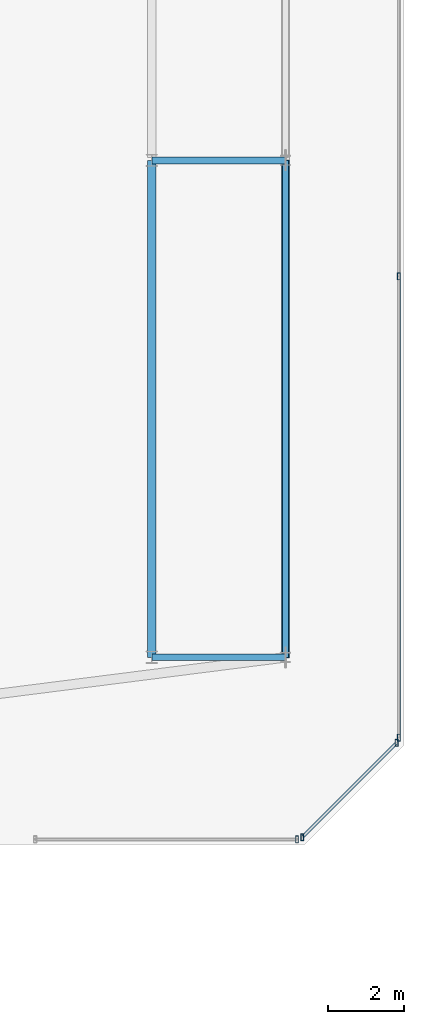
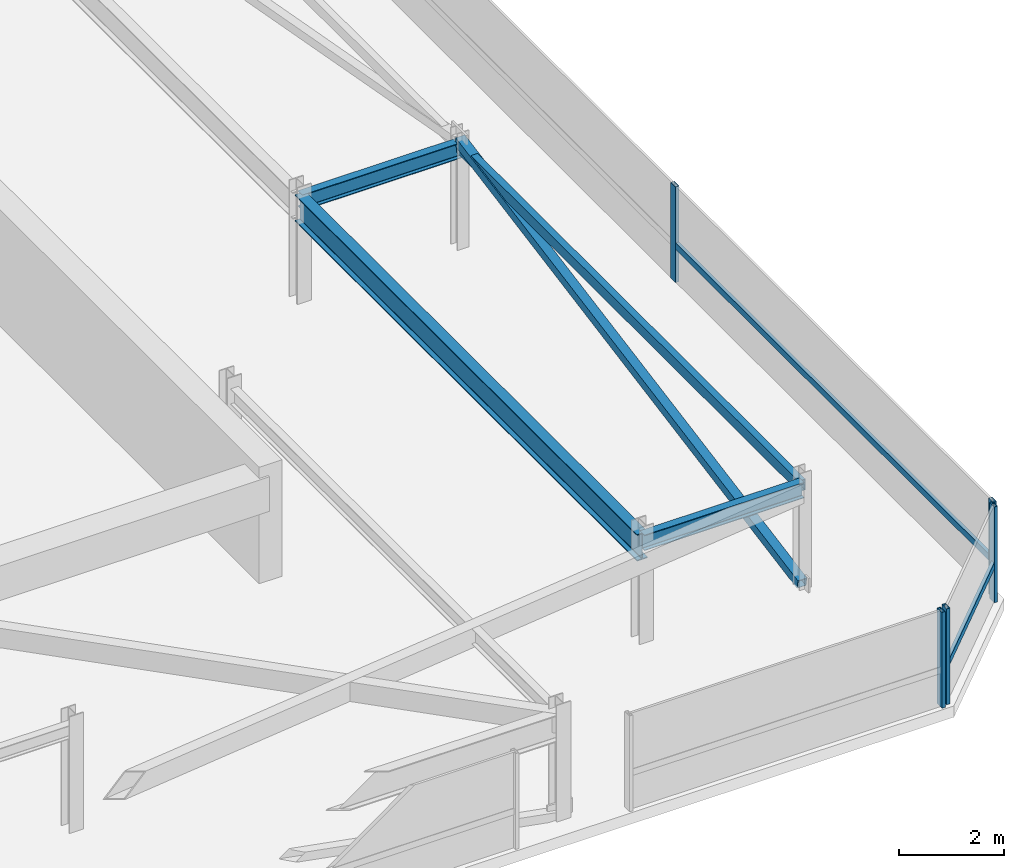
# One storey, part 33 of 44: 8 members, 4 beams, 3 elements without a shape of their own.
"""IFC4 building model written with IfcOpenShell, lengths in metres."""

import ifcopenshell
import ifcopenshell.guid

model = None  # the IFC model being written
_history = None  # IfcOwnerHistory: only IFC2X3 demands one
_inside = {}  # id of a spatial element -> (the spatial element, [elements in it])
_under = {}  # id of a project, library or spatial element -> (it, [spatial elements below it])
_declared = {}  # id of a project -> (the project, [libraries it declares])
_typed = {}  # id of a type object -> (the type object, [elements of that type])
_made_of = {}  # id of a material, layer set ... -> (it, [elements and type objects made of it])


def new_model(schema):
    """Start an empty IFC model of exactly this schema.

    Asked for "IFC4X3", IfcOpenShell would pick the latest addendum, in which some entities
    have other attributes; the version numbers below select the first issue.
    IFC2X3 requires an IfcOwnerHistory on every rooted entity: one is made here for all.
    """
    global model, _history
    if schema == "IFC4X3":
        model = ifcopenshell.file(schema_version=(4, 3, 0, 0))
    else:
        model = ifcopenshell.file(schema=schema)
    _inside.clear()
    _under.clear()
    _declared.clear()
    _typed.clear()
    _made_of.clear()
    _history = None
    if model.schema == "IFC2X3":
        org = make("IfcOrganization", Name="unknown")
        user = make(
            "IfcPersonAndOrganization",
            ThePerson=make("IfcPerson", FamilyName="unknown"),
            TheOrganization=org,
        )
        app = make(
            "IfcApplication",
            ApplicationDeveloper=org,
            Version="unknown",
            ApplicationFullName="unknown",
            ApplicationIdentifier="unknown",
        )
        _history = make(
            "IfcOwnerHistory",
            OwningUser=user,
            OwningApplication=app,
            ChangeAction="ADDED",
            CreationDate=0,
        )
    return model


def make(cls, **values):
    """One entity of the class cls with the attributes given. An attribute that is None is left unset."""
    return model.create_entity(
        cls, **{name: value for name, value in values.items() if value is not None}
    )


def rooted(cls, **values):
    """An entity with a GlobalId (a new one), such as an element, a storey or a relation."""
    return make(cls, GlobalId=ifcopenshell.guid.new(), OwnerHistory=_history, **values)


def si_unit(unit_type, name, prefix=None):
    """IfcSIUnit, for example si_unit("LENGTHUNIT", "METRE", prefix="MILLI")."""
    return make("IfcSIUnit", UnitType=unit_type, Prefix=prefix, Name=name)


def assignment(units):
    """IfcUnitAssignment: the units of a project."""
    return None if units is None else make("IfcUnitAssignment", Units=units)


def point(xyz):
    """IfcCartesianPoint."""
    return None if xyz is None else make("IfcCartesianPoint", Coordinates=xyz)


def direction(xyz):
    """IfcDirection."""
    return None if xyz is None else make("IfcDirection", DirectionRatios=xyz)


def frame(location, z_axis=None, x_axis=None):
    """IfcAxis2Placement3D, a coordinate frame: its origin and axes. An axis left out is left unset."""
    return make(
        "IfcAxis2Placement3D",
        Location=point(location),
        Axis=direction(z_axis),
        RefDirection=direction(x_axis),
    )


def frame_2d(location, x_axis=None):
    """IfcAxis2Placement2D, a coordinate frame in the plane: its origin and x axis."""
    return make(
        "IfcAxis2Placement2D", Location=point(location), RefDirection=direction(x_axis)
    )


def origin():
    """The frame at (0, 0, 0) with its axes left unset."""
    return frame((0.0, 0.0, 0.0))


def origin_2d():
    """The frame at (0, 0) in the plane with its x axis left unset."""
    return frame_2d((0.0, 0.0))


def place(relative_to, where):
    """IfcLocalPlacement: puts the frame where relative to a parent placement (None: the world)."""
    return make(
        "IfcLocalPlacement", PlacementRelTo=relative_to, RelativePlacement=where
    )


def context(
    kind, dimensions, precision=None, world=None, true_north=None, identifier=None
):
    """IfcGeometricRepresentationContext, for example the 3D "Model" context."""
    return make(
        "IfcGeometricRepresentationContext",
        ContextIdentifier=identifier,
        ContextType=kind,
        CoordinateSpaceDimension=dimensions,
        Precision=precision,
        WorldCoordinateSystem=world,
        TrueNorth=true_north,
    )


def subcontext(parent, identifier, kind, view, scale=None):
    """IfcGeometricRepresentationSubContext, for example "Body" below "Model"."""
    return make(
        "IfcGeometricRepresentationSubContext",
        ContextIdentifier=identifier,
        ContextType=kind,
        ParentContext=parent,
        TargetScale=scale,
        TargetView=view,
    )


def project(units=None, contexts=None):
    """IfcProject with its units and contexts."""
    return rooted(
        "IfcProject",
        Name="project",
        RepresentationContexts=contexts,
        UnitsInContext=assignment(units),
    )


def spatial(cls, under=None, at=None, **own):
    """A site, building, storey or space (cls), placed at a placement, below another one or the project."""
    s = rooted(cls, ObjectPlacement=at, **own)
    if under is not None:
        _under.setdefault(under.id(), (under, []))[1].append(s)
    return s


def profile(cls, at=None, kind="AREA", **sizes):
    """A parametric profile (cls). Its sizes go by their IFC names, for example OverallWidth=200.0."""
    return make(cls, ProfileType=kind, Position=at, **sizes)


def hollow_rectangle(**sizes):
    """IfcRectangleHollowProfileDef."""
    return profile("IfcRectangleHollowProfileDef", **sizes)


def i_section(**sizes):
    """IfcIShapeProfileDef."""
    return profile("IfcIShapeProfileDef", **sizes)


def extrude(swept, where, along, depth):
    """IfcExtrudedAreaSolid: the profile swept, set in the frame where, extruded along a direction by depth."""
    return make(
        "IfcExtrudedAreaSolid",
        SweptArea=swept,
        Position=where,
        ExtrudedDirection=direction(along),
        Depth=depth,
    )


def shape(context_of_items, identifier, shape_type, items):
    """IfcShapeRepresentation: the items that make up one representation, for example the "Body"."""
    return make(
        "IfcShapeRepresentation",
        ContextOfItems=context_of_items,
        RepresentationIdentifier=identifier,
        RepresentationType=shape_type,
        Items=items,
    )


def material(Name=None, Category=None):
    """IfcMaterial."""
    return make("IfcMaterial", Name=Name, Category=Category)


def material_profile(
    of_material, cross_section, Name=None, Category=None, Priority=None
):
    """IfcMaterialProfile: a cross section and its material."""
    return make(
        "IfcMaterialProfile",
        Name=Name,
        Material=of_material,
        Profile=cross_section,
        Priority=Priority,
        Category=Category,
    )


def profile_set(profiles, Name=None, composite=None):
    """IfcMaterialProfileSet."""
    return make(
        "IfcMaterialProfileSet",
        Name=Name,
        MaterialProfiles=profiles,
        CompositeProfile=composite,
    )


def made_of(thing, what):
    """Note that an element or type object is made of a material, layer set ...; save() writes the relation."""
    if what is not None:
        _made_of.setdefault(what.id(), (what, []))[1].append(thing)
    return thing


def type_object(cls, material=None, **own):
    """A type object (cls), such as IfcWallType, which elements share."""
    return made_of(rooted(cls, **own), material)


def element(
    cls,
    number,
    at=None,
    inside=None,
    cuts=None,
    type_object=None,
    material=None,
    context=None,
    identifier="Body",
    shape_type=None,
    held_by="IfcProductDefinitionShape",
    body=None,
    shapes=None,
    **own,
):
    """One element of the class cls, such as IfcWall. Its Tag is "e" and its number.

    at: its placement. inside: the storey or other place that contains it. cuts: it is an
    opening in that element (IfcRelVoidsElement). A single representation is given by context,
    identifier, shape_type and body (its items); several are given by shapes. held_by: the class
    of the entity that holds the representations. save() writes the other relations.
    """
    e = rooted(cls, Tag="e%d" % number, ObjectPlacement=at, **own)
    if body is not None:
        shapes = [shape(context, identifier, shape_type, body)]
    if shapes is not None:
        e.Representation = make(held_by, Representations=shapes)
    if inside is not None:
        _inside.setdefault(inside.id(), (inside, []))[1].append(e)
    if cuts is not None:
        rooted(
            "IfcRelVoidsElement", RelatingBuildingElement=cuts, RelatedOpeningElement=e
        )
    if type_object is not None:
        _typed.setdefault(type_object.id(), (type_object, []))[1].append(e)
    return made_of(e, material)


def aggregate(whole, parts):
    """IfcRelAggregates: a whole, such as a stair, and the parts it consists of."""
    return rooted("IfcRelAggregates", RelatingObject=whole, RelatedObjects=parts)


def save(model, path):
    """Write the relations noted so far, then the file.

    IfcRelAggregates (storeys below a building ...), IfcRelContainedInSpatialStructure (elements
    in a storey), IfcRelDefinesByType, IfcRelAssociatesMaterial and IfcRelDeclares: one each for
    every whole, place, type object, material and project.
    """
    for whole, parts in _under.values():
        aggregate(whole, parts)
    for where, things in _inside.values():
        rooted(
            "IfcRelContainedInSpatialStructure",
            RelatedElements=things,
            RelatingStructure=where,
        )
    for kind, things in _typed.values():
        rooted("IfcRelDefinesByType", RelatedObjects=things, RelatingType=kind)
    for what, things in _made_of.values():
        rooted("IfcRelAssociatesMaterial", RelatedObjects=things, RelatingMaterial=what)
    for by, libraries in _declared.values():
        rooted("IfcRelDeclares", RelatingContext=by, RelatedDefinitions=libraries)
    model.write(path)


model = new_model("IFC4")

# Units and contexts
model_context = context("Model", 3, precision=1e-05, world=origin(), true_north=direction((0.0, 1.0)))
body_context = subcontext(model_context, "Body", "Model", "MODEL_VIEW")
ifc_project = project(units=[si_unit("LENGTHUNIT", "METRE"), si_unit("AREAUNIT", "SQUARE_METRE"), si_unit("VOLUMEUNIT", "CUBIC_METRE"), si_unit("PLANEANGLEUNIT", "RADIAN"), si_unit("MASSUNIT", "GRAM", prefix="KILO")], contexts=[model_context])

# Site, building, storey
site_placement = place(None, origin())
site = spatial("IfcSite", under=ifc_project, at=site_placement, CompositionType="ELEMENT")
building_placement = place(site_placement, origin())
building = spatial("IfcBuilding", under=site, at=building_placement, Name="Thornwick Lancets Civic Towers", CompositionType="ELEMENT")
storey_placement = place(building_placement, frame((0.0, 0.0, 292.199951171875)))
storey = spatial("IfcBuildingStorey", under=building, at=storey_placement, Name="C05", CompositionType="ELEMENT", Elevation=292.199951171875)

# Beams
ifc_material_1 = material(Name="Steel S355JR", Category="steel")
ifc_material_profile_1 = material_profile(ifc_material_1, hollow_rectangle(XDim=0.14990234375, YDim=0.25, WallThickness=0.012451171875, at=origin_2d()), Name="RHS 250x150x12.5")
ifc_profile_set_1 = profile_set([ifc_material_profile_1], Name="Steel S355JR")
beam_type_1 = type_object("IfcBeamType", Name="BM_CROWN_RHS250", PredefinedType="BEAM", material=ifc_profile_set_1)
beam_1_placement = place(storey_placement, frame((109.300048828125, 14.0, 2.31494140625), z_axis=(0.0, 1.0, 0.0), x_axis=(-1.0, 0.0, 0.0)))
element("IfcBeam", 1, at=beam_1_placement, inside=storey, type_object=beam_type_1, Name="BM-EDGE-C05-B-S0-1", PredefinedType="BEAM", context=body_context, shape_type="SweptSolid", body=[
    extrude(hollow_rectangle(XDim=0.14990234375, YDim=0.25, WallThickness=0.012451171875, at=origin_2d()), origin(), (0.0, 0.0, 1.0), 13.0),
])
ifc_material_profile_2 = material_profile(ifc_material_1, i_section(OverallWidth=0.230224609375, OverallDepth=0.6171875, WebThickness=0.01318359375, FlangeThickness=0.022216796875, FilletRadius=0.0126953125, at=origin_2d()), Name="UKB 610x229x140")
ifc_profile_set_2 = profile_set([ifc_material_profile_2], Name="Steel S355JR")
beam_type_2 = type_object("IfcBeamType", Name="BM_GIRD_610_140", PredefinedType="BEAM", material=ifc_profile_set_2)
beam_2_placement = place(storey_placement, frame((105.800048828125, 14.0, 2.13134765625), z_axis=(0.0, 1.0, 0.0), x_axis=(-1.0, 0.0, 0.0)))
element("IfcBeam", 2, at=beam_2_placement, inside=storey, type_object=beam_type_2, Name="BM-SPINE-C05-B-0-1", PredefinedType="BEAM", context=body_context, shape_type="SweptSolid", body=[
    extrude(i_section(OverallWidth=0.230224609375, OverallDepth=0.6171875, WebThickness=0.01318359375, FlangeThickness=0.022216796875, FilletRadius=0.0126953125, at=origin_2d()), origin(), (0.0, 0.0, 1.0), 13.0),
])
ifc_material_profile_3 = material_profile(ifc_material_1, i_section(OverallWidth=0.173095703125, OverallDepth=0.36328125, WebThickness=0.009033203125, FlangeThickness=0.015625, FilletRadius=0.01025390625, at=origin_2d()), Name="UKB 356x171x67")
ifc_profile_set_3 = profile_set([ifc_material_profile_3], Name="Steel S355JR")
beam_type_3 = type_object("IfcBeamType", Name="BM_JOIST_356_67", PredefinedType="JOIST", material=ifc_profile_set_3)
for number, where, z_axis, x_axis, name in (
    (3, (105.800048828125, 14.0, 2.25830078125), (1.0, 0.0, 0.0), (0.0, 1.0, 0.0), "BM-RAD-C05-B01"),
    (4, (105.800048828125, 27.0, 2.25830078125), (1.0, 0.0, 0.0), (0.0, 1.0, 0.0), "BM-RAD-C05-B02"),
):
    element("IfcBeam", number, at=place(storey_placement, frame(where, z_axis=z_axis, x_axis=x_axis)), inside=storey, type_object=beam_type_3, Name=name, PredefinedType="JOIST", context=body_context, shape_type="SweptSolid", body=[
        extrude(i_section(OverallWidth=0.173095703125, OverallDepth=0.36328125, WebThickness=0.009033203125, FlangeThickness=0.015625, FilletRadius=0.01025390625, at=origin_2d()), origin(), (0.0, 0.0, 1.0), 3.5),
    ])

# Curtain wall, member
ifc_material_2 = material(Name="Crown ring acoustic-louvre and glazing screen wall", Category="glass")
curtain_wall_type = type_object("IfcCurtainWallType", Name="CW_SYS_07", PredefinedType="NOTDEFINED", material=ifc_material_2)
curtain_wall_1_placement = place(storey_placement, origin())
curtain_wall_1 = element("IfcCurtainWall", 5, at=curtain_wall_1_placement, inside=storey, type_object=curtain_wall_type, Name="C05 Curtain Wall CW-C05-B-E0-S3", PredefinedType="NOTDEFINED")
ifc_material_3 = material(Name="Thermally broken bronze aluminium S355", Category="steel")
ifc_material_profile_4 = material_profile(ifc_material_3, hollow_rectangle(XDim=0.074951171875, YDim=0.179931640625, WallThickness=0.006103515625, at=origin_2d()), Name="RHS 180x75x6")
ifc_profile_set_4 = profile_set([ifc_material_profile_4], Name="Thermally broken bronze aluminium S355")
member_type_1 = type_object("IfcMemberType", Name="CW_MUL_180", PredefinedType="MULLION", material=ifc_profile_set_4)
member_1_placement = place(storey_placement, frame((109.601318359375, 9.2353515625, 0.0), z_axis=(0.0, 0.0, 1.0), x_axis=(1.0, 0.0, 0.0)))
member_1 = element("IfcMember", 6, at=member_1_placement, type_object=member_type_1, Name="CW-C05-B-E0-S3 Mullion 1", PredefinedType="MULLION", context=body_context, shape_type="SweptSolid", body=[
    extrude(hollow_rectangle(XDim=0.074951171875, YDim=0.179931640625, WallThickness=0.006103515625, at=origin_2d()), origin(), (0.0, 0.0, 1.0), 2.219970703125),
])
aggregate(curtain_wall_1, [member_1])

# Curtain wall, members
curtain_wall_2_placement = place(storey_placement, origin())
curtain_wall_2 = element("IfcCurtainWall", 7, at=curtain_wall_2_placement, inside=storey, type_object=curtain_wall_type, Name="C05 Curtain Wall CW-C05-B-E1", PredefinedType="NOTDEFINED")
member_2_placement = place(storey_placement, frame((109.738037109375, 9.2919921875, 0.0), z_axis=(0.0, 0.0, 1.0), x_axis=(1.0, 0.0, 0.0)))
member_2 = element("IfcMember", 8, at=member_2_placement, type_object=member_type_1, Name="CW-C05-B-E1 Mullion 0", PredefinedType="MULLION", context=body_context, shape_type="SweptSolid", body=[
    extrude(hollow_rectangle(XDim=0.074951171875, YDim=0.179931640625, WallThickness=0.006103515625, at=origin_2d()), origin(), (0.0, 0.0, 1.0), 2.219970703125),
])
member_3_placement = place(storey_placement, frame((112.2080078125, 11.761962890625, 0.0), z_axis=(0.0, 0.0, 1.0), x_axis=(1.0, 0.0, 0.0)))
member_3 = element("IfcMember", 9, at=member_3_placement, type_object=member_type_1, Name="CW-C05-B-E1 Mullion 1", PredefinedType="MULLION", context=body_context, shape_type="SweptSolid", body=[
    extrude(hollow_rectangle(XDim=0.074951171875, YDim=0.179931640625, WallThickness=0.006103515625, at=origin_2d()), origin(), (0.0, 0.0, 1.0), 2.219970703125),
])

curtain_wall_3_placement = place(storey_placement, origin())
curtain_wall_3 = element("IfcCurtainWall", 10, at=curtain_wall_3_placement, inside=storey, type_object=curtain_wall_type, Name="C05 Curtain Wall CW-C05-B-E2", PredefinedType="NOTDEFINED")
member_4_placement = place(storey_placement, frame((112.2646484375, 11.898681640625, 0.0), z_axis=(0.0, 0.0, 1.0), x_axis=(1.0, 0.0, 0.0)))
member_4 = element("IfcMember", 11, at=member_4_placement, type_object=member_type_1, Name="CW-C05-B-E2 Mullion 0", PredefinedType="MULLION", context=body_context, shape_type="SweptSolid", body=[
    extrude(hollow_rectangle(XDim=0.074951171875, YDim=0.179931640625, WallThickness=0.006103515625, at=origin_2d()), origin(), (0.0, 0.0, 1.0), 2.219970703125),
])
member_5_placement = place(storey_placement, frame((112.2646484375, 23.96630859375, 0.0), z_axis=(0.0, 0.0, 1.0), x_axis=(1.0, 0.0, 0.0)))
member_5 = element("IfcMember", 12, at=member_5_placement, type_object=member_type_1, Name="CW-C05-B-E2 Mullion 1", PredefinedType="MULLION", context=body_context, shape_type="SweptSolid", body=[
    extrude(hollow_rectangle(XDim=0.074951171875, YDim=0.179931640625, WallThickness=0.006103515625, at=origin_2d()), origin(), (0.0, 0.0, 1.0), 2.219970703125),
])

# Member
ifc_material_profile_5 = material_profile(ifc_material_3, hollow_rectangle(XDim=0.074951171875, YDim=0.14990234375, WallThickness=0.0048828125, at=origin_2d()), Name="RHS 150x75x5")
ifc_profile_set_5 = profile_set([ifc_material_profile_5], Name="Thermally broken bronze aluminium S355")
member_type_2 = type_object("IfcMemberType", Name="CW_TRN_150", PredefinedType="USERDEFINED", material=ifc_profile_set_5)
member_6_placement = place(storey_placement, frame((109.752197265625, 9.30615234375, 0.85009765625), z_axis=(0.707106781187, 0.707106781187, 0.0), x_axis=(-0.707106781187, 0.707106781187, 0.0)))
member_6 = element("IfcMember", 13, at=member_6_placement, type_object=member_type_2, Name="CW-C05-B-E1 Transom 0", ObjectType="TRANSOM", PredefinedType="USERDEFINED", context=body_context, shape_type="SweptSolid", body=[
    extrude(hollow_rectangle(XDim=0.074951171875, YDim=0.14990234375, WallThickness=0.0048828125, at=origin_2d()), origin(), (0.0, 0.0, 1.0), 3.453125),
])

aggregate(curtain_wall_2, [member_2, member_3, member_6])

member_7_placement = place(storey_placement, frame((112.2646484375, 11.918701171875, 0.85009765625), z_axis=(0.0, 1.0, 0.0), x_axis=(-1.0, 0.0, 0.0)))
member_7 = element("IfcMember", 14, at=member_7_placement, type_object=member_type_2, Name="CW-C05-B-E2 Transom 0", ObjectType="TRANSOM", PredefinedType="USERDEFINED", context=body_context, shape_type="SweptSolid", body=[
    extrude(hollow_rectangle(XDim=0.074951171875, YDim=0.14990234375, WallThickness=0.0048828125, at=origin_2d()), origin(), (0.0, 0.0, 1.0), 12.027587890625),
])

aggregate(curtain_wall_3, [member_4, member_5, member_7])

ifc_material_profile_6 = material_profile(ifc_material_1, hollow_rectangle(XDim=0.199951171875, YDim=0.199951171875, WallThickness=0.012451171875, at=origin_2d()), Name="SHS 200x200x12.5")
ifc_profile_set_6 = profile_set([ifc_material_profile_6], Name="Steel S355JR")
member_type_3 = type_object("IfcMemberType", Name="MEM_CROWN_SHS200", PredefinedType="BRACE", material=ifc_profile_set_6)
member_8_placement = place(storey_placement, frame((109.300048828125, 14.0, 0.050048828125), z_axis=(0.0, 0.98351842104, 0.180807951915), x_axis=(-1.0, 0.0, 0.0)))
element("IfcMember", 15, at=member_8_placement, inside=storey, type_object=member_type_3, Name="C05 Crown Ring Lancet Rib B-S0-L", PredefinedType="BRACE", context=body_context, shape_type="SweptSolid", body=[
    extrude(hollow_rectangle(XDim=0.199951171875, YDim=0.199951171875, WallThickness=0.012451171875, at=origin_2d()), origin(), (0.0, 0.0, 1.0), 13.2177734375),
])

save(model, "model.ifc")
